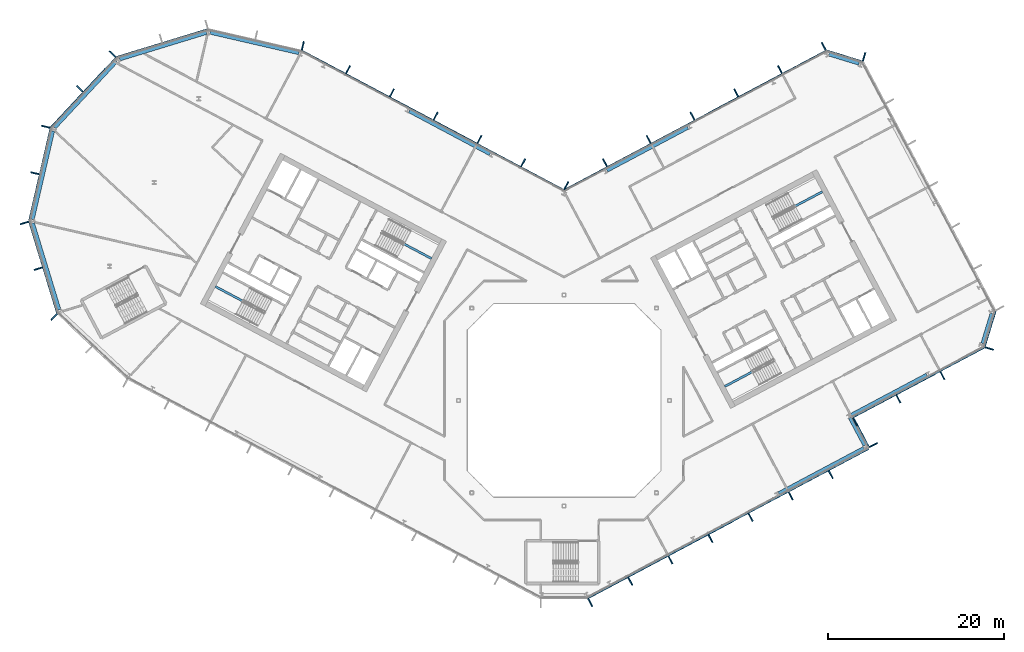
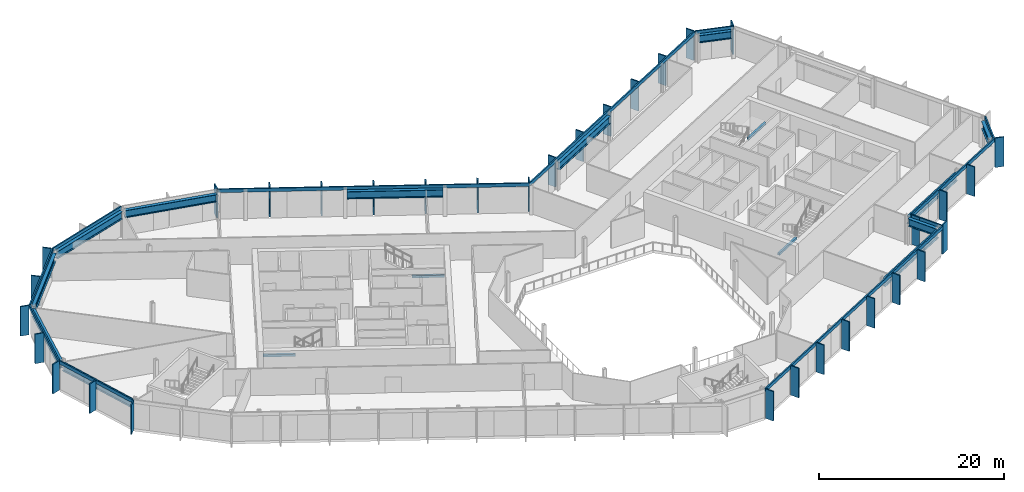
# One storey, part 9 of 26: 44 members, 16 beams, 13 elements without a shape of their own.
"""IFC4 building model written with IfcOpenShell, lengths in metres."""

from ifc_helpers import new_model, si_unit, direction, frame, origin, origin_2d, place, context, subcontext, project, spatial, rectangle, i_section, extrude, material, layer, layer_set, material_profile, profile_set, type_object, element, aggregate, save


model = new_model("IFC4")

# Units and contexts
model_context = context("Model", 3, precision=1e-05, world=origin(), true_north=direction((0.0, 1.0)))
body_context = subcontext(model_context, "Body", "Model", "MODEL_VIEW")
ifc_project = project(units=[si_unit("LENGTHUNIT", "METRE"), si_unit("AREAUNIT", "SQUARE_METRE"), si_unit("VOLUMEUNIT", "CUBIC_METRE"), si_unit("PLANEANGLEUNIT", "RADIAN"), si_unit("MASSUNIT", "GRAM", prefix="KILO")], contexts=[model_context])

# Site, building, storey
site_placement = place(None, origin())
site = spatial("IfcSite", under=ifc_project, at=site_placement, CompositionType="ELEMENT")
building_placement = place(site_placement, origin())
building = spatial("IfcBuilding", under=site, at=building_placement, Name="Cormorant Relay Tower", CompositionType="ELEMENT")
storey_placement = place(building_placement, frame((0.0, 0.0, 244.199951171875)))
storey = spatial("IfcBuildingStorey", under=building, at=storey_placement, Name="L54", CompositionType="ELEMENT", Elevation=244.199951171875)

# Curtain wall, members
ifc_material_1 = material(Name="Aluminium 6063-T6 anodised bronze", Category="aluminium")
ifc_layer = layer(ifc_material_1, 0.199951171875)
ifc_layer_set = layer_set([ifc_layer], Name="CW1 unitised bronze curtain wall with vertical fins")
curtain_wall_type = type_object("IfcCurtainWallType", Name="CW1 unitised bronze curtain wall with vertical fins", PredefinedType="NOTDEFINED", material=ifc_layer_set)
curtain_wall_1_placement = place(storey_placement, origin())
curtain_wall_1 = element("IfcCurtainWall", 1, at=curtain_wall_1_placement, inside=storey, type_object=curtain_wall_type, Name="CW1 curtain wall 2", PredefinedType="NOTDEFINED")
ifc_material_2 = material(Name="Aluminium 6063-T6 anodised bronze", Category="aluminium")
ifc_material_profile_1 = material_profile(ifc_material_2, rectangle(XDim=0.14990234375, YDim=1.0, at=origin_2d()), Name="AL 150x1000")
ifc_profile_set_1 = profile_set([ifc_material_profile_1], Name="Aluminium 6063-T6 anodised bronze")
member_type_1 = type_object("IfcMemberType", Name="CW1 bronze fin mullion 150 x 1000", PredefinedType="MULLION", material=ifc_profile_set_1)
member_1_placement = place(storey_placement, frame((2.9775390625, -22.99365234375, 0.0), z_axis=(0.0, 0.0, 1.0), x_axis=(0.882947592859, 0.469471562786, 0.0)))
member_1 = element("IfcMember", 2, at=member_1_placement, type_object=member_type_1, Name="CW1 fin 2.1", PredefinedType="MULLION", context=body_context, shape_type="SweptSolid", body=[
    extrude(rectangle(XDim=0.14990234375, YDim=1.0, at=origin_2d()), origin(), (0.0, 0.0, 1.0), 3.900146484375),
])
member_2_placement = place(storey_placement, frame((7.539306640625, -20.568115234375, 0.0), z_axis=(0.0, 0.0, 1.0), x_axis=(0.882947592859, 0.469471562786, 0.0)))
member_2 = element("IfcMember", 3, at=member_2_placement, type_object=member_type_1, Name="CW1 fin 2.2", PredefinedType="MULLION", context=body_context, shape_type="SweptSolid", body=[
    extrude(rectangle(XDim=0.14990234375, YDim=1.0, at=origin_2d()), origin(), (0.0, 0.0, 1.0), 3.900146484375),
])
member_3_placement = place(storey_placement, frame((12.10107421875, -18.142578125, 0.0), z_axis=(0.0, 0.0, 1.0), x_axis=(0.882947592859, 0.469471562786, 0.0)))
member_3 = element("IfcMember", 4, at=member_3_placement, type_object=member_type_1, Name="CW1 fin 2.3", PredefinedType="MULLION", context=body_context, shape_type="SweptSolid", body=[
    extrude(rectangle(XDim=0.14990234375, YDim=1.0, at=origin_2d()), origin(), (0.0, 0.0, 1.0), 3.900146484375),
])
member_4_placement = place(storey_placement, frame((16.662841796875, -15.717041015625, 0.0), z_axis=(0.0, 0.0, 1.0), x_axis=(0.882947592859, 0.469471562786, 0.0)))
member_4 = element("IfcMember", 5, at=member_4_placement, type_object=member_type_1, Name="CW1 fin 2.4", PredefinedType="MULLION", context=body_context, shape_type="SweptSolid", body=[
    extrude(rectangle(XDim=0.14990234375, YDim=1.0, at=origin_2d()), origin(), (0.0, 0.0, 1.0), 3.900146484375),
])
member_5_placement = place(storey_placement, frame((21.224609375, -13.29150390625, 0.0), z_axis=(0.0, 0.0, 1.0), x_axis=(0.882947592859, 0.469471562786, 0.0)))
member_5 = element("IfcMember", 6, at=member_5_placement, type_object=member_type_1, Name="CW1 fin 2.5", PredefinedType="MULLION", context=body_context, shape_type="SweptSolid", body=[
    extrude(rectangle(XDim=0.14990234375, YDim=1.0, at=origin_2d()), origin(), (0.0, 0.0, 1.0), 3.900146484375),
])
member_6_placement = place(storey_placement, frame((25.78662109375, -10.865966796875, 0.0), z_axis=(0.0, 0.0, 1.0), x_axis=(0.882947592859, 0.469471562786, 0.0)))
member_6 = element("IfcMember", 7, at=member_6_placement, type_object=member_type_1, Name="CW1 fin 2.6", PredefinedType="MULLION", context=body_context, shape_type="SweptSolid", body=[
    extrude(rectangle(XDim=0.14990234375, YDim=1.0, at=origin_2d()), origin(), (0.0, 0.0, 1.0), 3.900146484375),
])
member_7_placement = place(storey_placement, frame((30.348388671875, -8.440185546875, 0.0), z_axis=(0.0, 0.0, 1.0), x_axis=(0.882947592859, 0.469471562786, 0.0)))
member_7 = element("IfcMember", 8, at=member_7_placement, type_object=member_type_1, Name="CW1 fin 2.7", PredefinedType="MULLION", context=body_context, shape_type="SweptSolid", body=[
    extrude(rectangle(XDim=0.14990234375, YDim=1.0, at=origin_2d()), origin(), (0.0, 0.0, 1.0), 3.900146484375),
])

# Curtain wall, member
curtain_wall_2_placement = place(storey_placement, origin())
curtain_wall_2 = element("IfcCurtainWall", 9, at=curtain_wall_2_placement, inside=storey, type_object=curtain_wall_type, Name="CW1 curtain wall 3", PredefinedType="NOTDEFINED")
member_8_placement = place(storey_placement, frame((35.199462890625, -5.068115234375, 0.0), z_axis=(0.0, 0.0, 1.0), x_axis=(-0.469471562786, 0.882947592859, 0.0)))
member_8 = element("IfcMember", 10, at=member_8_placement, type_object=member_type_1, Name="CW1 fin 3.1", PredefinedType="MULLION", context=body_context, shape_type="SweptSolid", body=[
    extrude(rectangle(XDim=0.14990234375, YDim=1.0, at=origin_2d()), origin(), (0.0, 0.0, 1.0), 3.900146484375),
])

# Curtain wall, members
curtain_wall_3_placement = place(storey_placement, origin())
curtain_wall_3 = element("IfcCurtainWall", 11, at=curtain_wall_3_placement, inside=storey, type_object=curtain_wall_type, Name="CW1 curtain wall 4", PredefinedType="NOTDEFINED")
member_9_placement = place(storey_placement, frame((33.098388671875, -2.44775390625, 0.0), z_axis=(0.0, 0.0, 1.0), x_axis=(0.882947592859, 0.469471562786, 0.0)))
member_9 = element("IfcMember", 12, at=member_9_placement, type_object=member_type_1, Name="CW1 fin 4.1", PredefinedType="MULLION", context=body_context, shape_type="SweptSolid", body=[
    extrude(rectangle(XDim=0.14990234375, YDim=1.0, at=origin_2d()), origin(), (0.0, 0.0, 1.0), 3.900146484375),
])
member_10_placement = place(storey_placement, frame((38.035400390625, 0.177490234375, 0.0), z_axis=(0.0, 0.0, 1.0), x_axis=(0.882947592859, 0.469471562786, 0.0)))
member_10 = element("IfcMember", 13, at=member_10_placement, type_object=member_type_1, Name="CW1 fin 4.2", PredefinedType="MULLION", context=body_context, shape_type="SweptSolid", body=[
    extrude(rectangle(XDim=0.14990234375, YDim=1.0, at=origin_2d()), origin(), (0.0, 0.0, 1.0), 3.900146484375),
])
member_11_placement = place(storey_placement, frame((43.038818359375, 2.837646484375, 0.0), z_axis=(0.0, 0.0, 1.0), x_axis=(0.882947592859, 0.469471562786, 0.0)))
member_11 = element("IfcMember", 14, at=member_11_placement, type_object=member_type_1, Name="CW1 fin 4.3", PredefinedType="MULLION", context=body_context, shape_type="SweptSolid", body=[
    extrude(rectangle(XDim=0.14990234375, YDim=1.0, at=origin_2d()), origin(), (0.0, 0.0, 1.0), 3.900146484375),
])

# Curtain wall, member
curtain_wall_4_placement = place(storey_placement, origin())
curtain_wall_4 = element("IfcCurtainWall", 15, at=curtain_wall_4_placement, inside=storey, type_object=curtain_wall_type, Name="CW1 curtain wall 5", PredefinedType="NOTDEFINED")
member_12_placement = place(storey_placement, frame((48.383056640625, 5.91162109375, 0.0), z_axis=(0.0, 0.0, 1.0), x_axis=(0.292371704723, 0.956304755963, 0.0)))
member_12 = element("IfcMember", 16, at=member_12_placement, type_object=member_type_1, Name="CW1 fin 5.1", PredefinedType="MULLION", context=body_context, shape_type="SweptSolid", body=[
    extrude(rectangle(XDim=0.14990234375, YDim=1.0, at=origin_2d()), origin(), (0.0, 0.0, 1.0), 3.900146484375),
])

curtain_wall_5_placement = place(storey_placement, origin())
curtain_wall_5 = element("IfcCurtainWall", 17, at=curtain_wall_5_placement, inside=storey, type_object=curtain_wall_type, Name="CW1 curtain wall 7", PredefinedType="NOTDEFINED")
member_13_placement = place(storey_placement, frame((34.1357421875, 39.09716796875, 0.0), z_axis=(0.0, 0.0, 1.0), x_axis=(-0.956304755963, 0.292371704723, 0.0)))
member_13 = element("IfcMember", 18, at=member_13_placement, type_object=member_type_1, Name="CW1 fin 7.1", PredefinedType="MULLION", context=body_context, shape_type="SweptSolid", body=[
    extrude(rectangle(XDim=0.14990234375, YDim=1.0, at=origin_2d()), origin(), (0.0, 0.0, 1.0), 3.900146484375),
])

# Curtain wall, members
curtain_wall_6_placement = place(storey_placement, origin())
curtain_wall_6 = element("IfcCurtainWall", 19, at=curtain_wall_6_placement, inside=storey, type_object=curtain_wall_type, Name="CW1 curtain wall 8", PredefinedType="NOTDEFINED")
member_14_placement = place(storey_placement, frame((29.545166015625, 40.2861328125, 0.0), z_axis=(0.0, 0.0, 1.0), x_axis=(-0.882947592859, -0.469471562786, 0.0)))
member_14 = element("IfcMember", 20, at=member_14_placement, type_object=member_type_1, Name="CW1 fin 8.1", PredefinedType="MULLION", context=body_context, shape_type="SweptSolid", body=[
    extrude(rectangle(XDim=0.14990234375, YDim=1.0, at=origin_2d()), origin(), (0.0, 0.0, 1.0), 3.900146484375),
])
member_15_placement = place(storey_placement, frame((24.566162109375, 37.638916015625, 0.0), z_axis=(0.0, 0.0, 1.0), x_axis=(-0.882947592859, -0.469471562786, 0.0)))
member_15 = element("IfcMember", 21, at=member_15_placement, type_object=member_type_1, Name="CW1 fin 8.2", PredefinedType="MULLION", context=body_context, shape_type="SweptSolid", body=[
    extrude(rectangle(XDim=0.14990234375, YDim=1.0, at=origin_2d()), origin(), (0.0, 0.0, 1.0), 3.900146484375),
])
member_16_placement = place(storey_placement, frame((19.587158203125, 34.991455078125, 0.0), z_axis=(0.0, 0.0, 1.0), x_axis=(-0.882947592859, -0.469471562786, 0.0)))
member_16 = element("IfcMember", 22, at=member_16_placement, type_object=member_type_1, Name="CW1 fin 8.3", PredefinedType="MULLION", context=body_context, shape_type="SweptSolid", body=[
    extrude(rectangle(XDim=0.14990234375, YDim=1.0, at=origin_2d()), origin(), (0.0, 0.0, 1.0), 3.900146484375),
])
member_17_placement = place(storey_placement, frame((14.608154296875, 32.343994140625, 0.0), z_axis=(0.0, 0.0, 1.0), x_axis=(-0.882947592859, -0.469471562786, 0.0)))
member_17 = element("IfcMember", 23, at=member_17_placement, type_object=member_type_1, Name="CW1 fin 8.4", PredefinedType="MULLION", context=body_context, shape_type="SweptSolid", body=[
    extrude(rectangle(XDim=0.14990234375, YDim=1.0, at=origin_2d()), origin(), (0.0, 0.0, 1.0), 3.900146484375),
])
member_18_placement = place(storey_placement, frame((9.62939453125, 29.69677734375, 0.0), z_axis=(0.0, 0.0, 1.0), x_axis=(-0.882947592859, -0.469471562786, 0.0)))
member_18 = element("IfcMember", 24, at=member_18_placement, type_object=member_type_1, Name="CW1 fin 8.5", PredefinedType="MULLION", context=body_context, shape_type="SweptSolid", body=[
    extrude(rectangle(XDim=0.14990234375, YDim=1.0, at=origin_2d()), origin(), (0.0, 0.0, 1.0), 3.900146484375),
])
member_19_placement = place(storey_placement, frame((4.650390625, 27.04931640625, 0.0), z_axis=(0.0, 0.0, 1.0), x_axis=(-0.882947592859, -0.469471562786, 0.0)))
member_19 = element("IfcMember", 25, at=member_19_placement, type_object=member_type_1, Name="CW1 fin 8.6", PredefinedType="MULLION", context=body_context, shape_type="SweptSolid", body=[
    extrude(rectangle(XDim=0.14990234375, YDim=1.0, at=origin_2d()), origin(), (0.0, 0.0, 1.0), 3.900146484375),
])

curtain_wall_7_placement = place(storey_placement, origin())
curtain_wall_7 = element("IfcCurtainWall", 26, at=curtain_wall_7_placement, inside=storey, type_object=curtain_wall_type, Name="CW1 curtain wall 9", PredefinedType="NOTDEFINED")
member_20_placement = place(storey_placement, frame((0.262451171875, 24.437255859375, 0.0), z_axis=(0.0, 0.0, 1.0), x_axis=(-0.882947592859, 0.469471562786, 0.0)))
member_20 = element("IfcMember", 27, at=member_20_placement, type_object=member_type_1, Name="CW1 fin 9.1", PredefinedType="MULLION", context=body_context, shape_type="SweptSolid", body=[
    extrude(rectangle(XDim=0.14990234375, YDim=1.0, at=origin_2d()), origin(), (0.0, 0.0, 1.0), 3.900146484375),
])
member_21_placement = place(storey_placement, frame((-4.650390625, 27.04931640625, 0.0), z_axis=(0.0, 0.0, 1.0), x_axis=(-0.882947592859, 0.469471562786, 0.0)))
member_21 = element("IfcMember", 28, at=member_21_placement, type_object=member_type_1, Name="CW1 fin 9.2", PredefinedType="MULLION", context=body_context, shape_type="SweptSolid", body=[
    extrude(rectangle(XDim=0.14990234375, YDim=1.0, at=origin_2d()), origin(), (0.0, 0.0, 1.0), 3.900146484375),
])
member_22_placement = place(storey_placement, frame((-9.62939453125, 29.69677734375, 0.0), z_axis=(0.0, 0.0, 1.0), x_axis=(-0.882947592859, 0.469471562786, 0.0)))
member_22 = element("IfcMember", 29, at=member_22_placement, type_object=member_type_1, Name="CW1 fin 9.3", PredefinedType="MULLION", context=body_context, shape_type="SweptSolid", body=[
    extrude(rectangle(XDim=0.14990234375, YDim=1.0, at=origin_2d()), origin(), (0.0, 0.0, 1.0), 3.900146484375),
])
member_23_placement = place(storey_placement, frame((-14.608154296875, 32.343994140625, 0.0), z_axis=(0.0, 0.0, 1.0), x_axis=(-0.882947592859, 0.469471562786, 0.0)))
member_23 = element("IfcMember", 30, at=member_23_placement, type_object=member_type_1, Name="CW1 fin 9.4", PredefinedType="MULLION", context=body_context, shape_type="SweptSolid", body=[
    extrude(rectangle(XDim=0.14990234375, YDim=1.0, at=origin_2d()), origin(), (0.0, 0.0, 1.0), 3.900146484375),
])
member_24_placement = place(storey_placement, frame((-19.587158203125, 34.991455078125, 0.0), z_axis=(0.0, 0.0, 1.0), x_axis=(-0.882947592859, 0.469471562786, 0.0)))
member_24 = element("IfcMember", 31, at=member_24_placement, type_object=member_type_1, Name="CW1 fin 9.5", PredefinedType="MULLION", context=body_context, shape_type="SweptSolid", body=[
    extrude(rectangle(XDim=0.14990234375, YDim=1.0, at=origin_2d()), origin(), (0.0, 0.0, 1.0), 3.900146484375),
])
member_25_placement = place(storey_placement, frame((-24.566162109375, 37.638916015625, 0.0), z_axis=(0.0, 0.0, 1.0), x_axis=(-0.882947592859, 0.469471562786, 0.0)))
member_25 = element("IfcMember", 32, at=member_25_placement, type_object=member_type_1, Name="CW1 fin 9.6", PredefinedType="MULLION", context=body_context, shape_type="SweptSolid", body=[
    extrude(rectangle(XDim=0.14990234375, YDim=1.0, at=origin_2d()), origin(), (0.0, 0.0, 1.0), 3.900146484375),
])

# Curtain wall, member
curtain_wall_8_placement = place(storey_placement, origin())
curtain_wall_8 = element("IfcCurtainWall", 33, at=curtain_wall_8_placement, inside=storey, type_object=curtain_wall_type, Name="CW1 curtain wall 10", PredefinedType="NOTDEFINED")
member_26_placement = place(storey_placement, frame((-29.71630859375, 40.35009765625, 0.0), z_axis=(0.0, 0.0, 1.0), x_axis=(-0.974370064785, 0.224951054344, 0.0)))
member_26 = element("IfcMember", 34, at=member_26_placement, type_object=member_type_1, Name="CW1 fin 10.1", PredefinedType="MULLION", context=body_context, shape_type="SweptSolid", body=[
    extrude(rectangle(XDim=0.14990234375, YDim=1.0, at=origin_2d()), origin(), (0.0, 0.0, 1.0), 3.900146484375),
])
aggregate(curtain_wall_8, [member_26])

# Curtain wall, members
curtain_wall_9_placement = place(storey_placement, origin())
curtain_wall_9 = element("IfcCurtainWall", 35, at=curtain_wall_9_placement, inside=storey, type_object=curtain_wall_type, Name="CW1 curtain wall 12", PredefinedType="NOTDEFINED")
member_27_placement = place(storey_placement, frame((-51.372802734375, 39.41259765625, 0.0), z_axis=(0.0, 0.0, 1.0), x_axis=(-0.681998360062, -0.731353701619, 0.0)))
member_27 = element("IfcMember", 36, at=member_27_placement, type_object=member_type_1, Name="CW1 fin 12.1", PredefinedType="MULLION", context=body_context, shape_type="SweptSolid", body=[
    extrude(rectangle(XDim=0.14990234375, YDim=1.0, at=origin_2d()), origin(), (0.0, 0.0, 1.0), 3.900146484375),
])
member_28_placement = place(storey_placement, frame((-55.07958984375, 35.4375, 0.0), z_axis=(0.0, 0.0, 1.0), x_axis=(-0.681998360062, -0.731353701619, 0.0)))
member_28 = element("IfcMember", 37, at=member_28_placement, type_object=member_type_1, Name="CW1 fin 12.2", PredefinedType="MULLION", context=body_context, shape_type="SweptSolid", body=[
    extrude(rectangle(XDim=0.14990234375, YDim=1.0, at=origin_2d()), origin(), (0.0, 0.0, 1.0), 3.900146484375),
])

curtain_wall_10_placement = place(storey_placement, origin())
curtain_wall_10 = element("IfcCurtainWall", 38, at=curtain_wall_10_placement, inside=storey, type_object=curtain_wall_type, Name="CW1 curtain wall 13", PredefinedType="NOTDEFINED")
member_29_placement = place(storey_placement, frame((-58.95654296875, 31.142578125, 0.0), z_axis=(0.0, 0.0, 1.0), x_axis=(-0.224951054344, -0.974370064785, 0.0)))
member_29 = element("IfcMember", 39, at=member_29_placement, type_object=member_type_1, Name="CW1 fin 13.1", PredefinedType="MULLION", context=body_context, shape_type="SweptSolid", body=[
    extrude(rectangle(XDim=0.14990234375, YDim=1.0, at=origin_2d()), origin(), (0.0, 0.0, 1.0), 3.900146484375),
])
member_30_placement = place(storey_placement, frame((-60.17919921875, 25.8466796875, 0.0), z_axis=(0.0, 0.0, 1.0), x_axis=(-0.224951054344, -0.974370064785, 0.0)))
member_30 = element("IfcMember", 40, at=member_30_placement, type_object=member_type_1, Name="CW1 fin 13.2", PredefinedType="MULLION", context=body_context, shape_type="SweptSolid", body=[
    extrude(rectangle(XDim=0.14990234375, YDim=1.0, at=origin_2d()), origin(), (0.0, 0.0, 1.0), 3.900146484375),
])

curtain_wall_11_placement = place(storey_placement, origin())
curtain_wall_11 = element("IfcCurtainWall", 41, at=curtain_wall_11_placement, inside=storey, type_object=curtain_wall_type, Name="CW1 curtain wall 14", PredefinedType="NOTDEFINED")
member_31_placement = place(storey_placement, frame((-61.389404296875, 20.188720703125, 0.0), z_axis=(0.0, 0.0, 1.0), x_axis=(0.292371704723, -0.956304755963, 0.0)))
member_31 = element("IfcMember", 42, at=member_31_placement, type_object=member_type_1, Name="CW1 fin 14.1", PredefinedType="MULLION", context=body_context, shape_type="SweptSolid", body=[
    extrude(rectangle(XDim=0.14990234375, YDim=1.0, at=origin_2d()), origin(), (0.0, 0.0, 1.0), 3.900146484375),
])
member_32_placement = place(storey_placement, frame((-59.80029296875, 14.990966796875, 0.0), z_axis=(0.0, 0.0, 1.0), x_axis=(0.292371704723, -0.956304755963, 0.0)))
member_32 = element("IfcMember", 43, at=member_32_placement, type_object=member_type_1, Name="CW1 fin 14.2", PredefinedType="MULLION", context=body_context, shape_type="SweptSolid", body=[
    extrude(rectangle(XDim=0.14990234375, YDim=1.0, at=origin_2d()), origin(), (0.0, 0.0, 1.0), 3.900146484375),
])

# Curtain wall, member
curtain_wall_12_placement = place(storey_placement, origin())
curtain_wall_12 = element("IfcCurtainWall", 44, at=curtain_wall_12_placement, inside=storey, type_object=curtain_wall_type, Name="CW1 curtain wall 15", PredefinedType="NOTDEFINED")
member_33_placement = place(storey_placement, frame((-58.01904296875, 9.486083984375, 0.0), z_axis=(0.0, 0.0, 1.0), x_axis=(0.731353701619, -0.681998360062, 0.0)))
member_33 = element("IfcMember", 45, at=member_33_placement, type_object=member_type_1, Name="CW1 fin 15.1", PredefinedType="MULLION", context=body_context, shape_type="SweptSolid", body=[
    extrude(rectangle(XDim=0.14990234375, YDim=1.0, at=origin_2d()), origin(), (0.0, 0.0, 1.0), 3.900146484375),
])
aggregate(curtain_wall_12, [member_33])

# Member
ifc_material_3 = material(Name="Aluminium 6063-T6 anodised bronze", Category="aluminium")
ifc_material_profile_2 = material_profile(ifc_material_3, rectangle(XDim=0.159912109375, YDim=0.449951171875, at=origin_2d()), Name="AL 160x450")
ifc_profile_set_2 = profile_set([ifc_material_profile_2], Name="Aluminium 6063-T6 anodised bronze")
member_type_2 = type_object("IfcMemberType", Name="CW1 bronze transom 160 x 450", PredefinedType="USERDEFINED", material=ifc_profile_set_2)
member_34_placement = place(storey_placement, frame((2.705078125, -22.4814453125, 3.675048828125), z_axis=(0.882948899141, 0.469469106018, 0.0), x_axis=(-0.469469106018, 0.882948899141, 0.0)))
member_34 = element("IfcMember", 46, at=member_34_placement, type_object=member_type_2, Name="CW1 transom 2", ObjectType="TRANSOM", PredefinedType="USERDEFINED", context=body_context, shape_type="SweptSolid", body=[
    extrude(rectangle(XDim=0.159912109375, YDim=0.449951171875, at=origin_2d()), origin(), (0.0, 0.0, 1.0), 36.165771484375),
])

aggregate(curtain_wall_1, [member_1, member_2, member_3, member_4, member_5, member_6, member_7, member_34])

member_35_placement = place(storey_placement, frame((34.6875, -5.34033203125, 3.675048828125), z_axis=(-0.469485426614, 0.882940221191, 0.0), x_axis=(-0.882940221191, -0.469485426614, 0.0)))
member_35 = element("IfcMember", 47, at=member_35_placement, type_object=member_type_2, Name="CW1 transom 3", ObjectType="TRANSOM", PredefinedType="USERDEFINED", context=body_context, shape_type="SweptSolid", body=[
    extrude(rectangle(XDim=0.159912109375, YDim=0.449951171875, at=origin_2d()), origin(), (0.0, 0.0, 1.0), 4.0),
])

aggregate(curtain_wall_2, [member_8, member_35])

member_36_placement = place(storey_placement, frame((32.760009765625, -1.970947265625, 3.675048828125), z_axis=(0.882941803911, 0.469482450052, 0.0), x_axis=(-0.469482450052, 0.882941803911, 0.0)))
member_36 = element("IfcMember", 48, at=member_36_placement, type_object=member_type_2, Name="CW1 transom 4", ObjectType="TRANSOM", PredefinedType="USERDEFINED", context=body_context, shape_type="SweptSolid", body=[
    extrude(rectangle(XDim=0.159912109375, YDim=0.449951171875, at=origin_2d()), origin(), (0.0, 0.0, 1.0), 17.0),
])

aggregate(curtain_wall_3, [member_9, member_10, member_11, member_36])

member_37_placement = place(storey_placement, frame((47.828369140625, 6.0810546875, 3.675048828125), z_axis=(0.292391046905, 0.95629884225, 0.0), x_axis=(-0.95629884225, 0.292391046905, 0.0)))
member_37 = element("IfcMember", 49, at=member_37_placement, type_object=member_type_2, Name="CW1 transom 5", ObjectType="TRANSOM", PredefinedType="USERDEFINED", context=body_context, shape_type="SweptSolid", body=[
    extrude(rectangle(XDim=0.159912109375, YDim=0.449951171875, at=origin_2d()), origin(), (0.0, 0.0, 1.0), 4.242431640625),
])

aggregate(curtain_wall_4, [member_12, member_37])

member_38_placement = place(storey_placement, frame((33.966064453125, 38.54248046875, 3.675048828125), z_axis=(-0.956303761594, 0.292374957137, 0.0), x_axis=(-0.292374957137, -0.956303761594, 0.0)))
member_38 = element("IfcMember", 50, at=member_38_placement, type_object=member_type_2, Name="CW1 transom 7", ObjectType="TRANSOM", PredefinedType="USERDEFINED", context=body_context, shape_type="SweptSolid", body=[
    extrude(rectangle(XDim=0.159912109375, YDim=0.449951171875, at=origin_2d()), origin(), (0.0, 0.0, 1.0), 4.24267578125),
])

aggregate(curtain_wall_5, [member_13, member_38])

member_39_placement = place(storey_placement, frame((29.8173828125, 39.774169921875, 3.675048828125), z_axis=(-0.882946280328, -0.46947403129, 0.0), x_axis=(0.46947403129, -0.882946280328, 0.0)))
member_39 = element("IfcMember", 51, at=member_39_placement, type_object=member_type_2, Name="CW1 transom 8", ObjectType="TRANSOM", PredefinedType="USERDEFINED", context=body_context, shape_type="SweptSolid", body=[
    extrude(rectangle(XDim=0.159912109375, YDim=0.449951171875, at=origin_2d()), origin(), (0.0, 0.0, 1.0), 33.834228515625),
])

aggregate(curtain_wall_6, [member_14, member_15, member_16, member_17, member_18, member_19, member_39])

member_40_placement = place(storey_placement, frame((0.056396484375, 23.889892578125, 3.675048828125), z_axis=(-0.882946280328, 0.46947403129, 0.0), x_axis=(-0.46947403129, -0.882946280328, 0.0)))
member_40 = element("IfcMember", 52, at=member_40_placement, type_object=member_type_2, Name="CW1 transom 9", ObjectType="TRANSOM", PredefinedType="USERDEFINED", context=body_context, shape_type="SweptSolid", body=[
    extrude(rectangle(XDim=0.159912109375, YDim=0.449951171875, at=origin_2d()), origin(), (0.0, 0.0, 1.0), 33.834228515625),
])

aggregate(curtain_wall_7, [member_20, member_21, member_22, member_23, member_24, member_25, member_40])

# Curtain wall, member
curtain_wall_13_placement = place(storey_placement, origin())
curtain_wall_13 = element("IfcCurtainWall", 53, at=curtain_wall_13_placement, inside=storey, type_object=curtain_wall_type, Name="CW1 curtain wall 11", PredefinedType="NOTDEFINED")
member_41_placement = place(storey_placement, frame((-40.50048828125, 42.228271484375, 3.675048828125), z_axis=(-0.956304833932, -0.292371449698, 0.0), x_axis=(0.292371449698, -0.956304833932, 0.0)))
member_41 = element("IfcMember", 54, at=member_41_placement, type_object=member_type_2, Name="CW1 transom 11", ObjectType="TRANSOM", PredefinedType="USERDEFINED", context=body_context, shape_type="SweptSolid", body=[
    extrude(rectangle(XDim=0.159912109375, YDim=0.449951171875, at=origin_2d()), origin(), (0.0, 0.0, 1.0), 10.87060546875),
])
aggregate(curtain_wall_13, [member_41])

# Member
member_42_placement = place(storey_placement, frame((-50.94873046875, 39.01708984375, 3.675048828125), z_axis=(-0.681993299437, -0.731358420696, 0.0), x_axis=(0.731358420696, -0.681993299437, 0.0)))
member_42 = element("IfcMember", 55, at=member_42_placement, type_object=member_type_2, Name="CW1 transom 12", ObjectType="TRANSOM", PredefinedType="USERDEFINED", context=body_context, shape_type="SweptSolid", body=[
    extrude(rectangle(XDim=0.159912109375, YDim=0.449951171875, at=origin_2d()), origin(), (0.0, 0.0, 1.0), 10.870361328125),
])

aggregate(curtain_wall_9, [member_27, member_28, member_42])

member_43_placement = place(storey_placement, frame((-58.3916015625, 31.01220703125, 3.675048828125), z_axis=(-0.22495136131, -0.974369993916, 0.0), x_axis=(0.974369993916, -0.22495136131, 0.0)))
member_43 = element("IfcMember", 56, at=member_43_placement, type_object=member_type_2, Name="CW1 transom 13", ObjectType="TRANSOM", PredefinedType="USERDEFINED", context=body_context, shape_type="SweptSolid", body=[
    extrude(rectangle(XDim=0.159912109375, YDim=0.449951171875, at=origin_2d()), origin(), (0.0, 0.0, 1.0), 10.870361328125),
])

aggregate(curtain_wall_10, [member_29, member_30, member_43])

member_44_placement = place(storey_placement, frame((-60.834716796875, 20.358154296875, 3.675048828125), z_axis=(0.292377729282, -0.95630291405, 0.0), x_axis=(0.95630291405, 0.292377729282, 0.0)))
member_44 = element("IfcMember", 57, at=member_44_placement, type_object=member_type_2, Name="CW1 transom 14", ObjectType="TRANSOM", PredefinedType="USERDEFINED", context=body_context, shape_type="SweptSolid", body=[
    extrude(rectangle(XDim=0.159912109375, YDim=0.449951171875, at=origin_2d()), origin(), (0.0, 0.0, 1.0), 10.870361328125),
])

aggregate(curtain_wall_11, [member_31, member_32, member_44])

# Beams
ifc_material_4 = material(Name="Steel ASTM A992 (Fy 345 MPa)", Category="steel")
ifc_material_profile_3 = material_profile(ifc_material_4, i_section(OverallWidth=0.4013671875, OverallDepth=0.990478515625, WebThickness=0.0166015625, FlangeThickness=0.031005859375, FilletRadius=0.030029296875, at=origin_2d()), Name="W1000x320")
ifc_profile_set_3 = profile_set([ifc_material_profile_3], Name="Steel ASTM A992 (Fy 345 MPa)")
beam_type_1 = type_object("IfcBeamType", Name="Spandrel W1000x320", PredefinedType="SPANDREL", material=ifc_profile_set_3)
beam_1_placement = place(storey_placement, frame((24.423583984375, -10.5703125, 3.044677734375), z_axis=(0.882952735253, 0.469461891221, 0.0), x_axis=(-0.469461891221, 0.882952735253, 0.0)))
element("IfcBeam", 58, at=beam_1_placement, inside=storey, type_object=beam_type_1, Name="Spandrel beam L54-002", PredefinedType="SPANDREL", context=body_context, shape_type="SweptSolid", body=[
    extrude(i_section(OverallWidth=0.4013671875, OverallDepth=0.990478515625, WebThickness=0.0166015625, FlangeThickness=0.031005859375, FilletRadius=0.030029296875, at=origin_2d()), origin(), (0.0, 0.0, 1.0), 10.96142578125),
])
beam_2_placement = place(storey_placement, frame((34.20458984375, -5.115478515625, 3.044677734375), z_axis=(-0.469423552529, 0.882973118691, 0.0), x_axis=(-0.882973118691, -0.469423552529, 0.0)))
element("IfcBeam", 59, at=beam_2_placement, inside=storey, type_object=beam_type_1, Name="Spandrel beam L54-003", PredefinedType="SPANDREL", context=body_context, shape_type="SweptSolid", body=[
    extrude(i_section(OverallWidth=0.4013671875, OverallDepth=0.990478515625, WebThickness=0.0166015625, FlangeThickness=0.031005859375, FilletRadius=0.030029296875, at=origin_2d()), origin(), (0.0, 0.0, 1.0), 3.56982421875),
])
beam_3_placement = place(storey_placement, frame((32.609375, -1.687744140625, 3.044677734375), z_axis=(0.882948215634, 0.469470391515, 0.0), x_axis=(-0.469470391515, 0.882948215634, 0.0)))
element("IfcBeam", 60, at=beam_3_placement, inside=storey, type_object=beam_type_1, Name="Spandrel beam L54-004", PredefinedType="SPANDREL", context=body_context, shape_type="SweptSolid", body=[
    extrude(i_section(OverallWidth=0.4013671875, OverallDepth=0.990478515625, WebThickness=0.0166015625, FlangeThickness=0.031005859375, FilletRadius=0.030029296875, at=origin_2d()), origin(), (0.0, 0.0, 1.0), 9.79736328125),
])
for number, where, z_axis, x_axis, name in (
    (61, (47.618896484375, 6.4921875, 3.044677734375), (0.292349563537, 0.956311524923, 0.0), (-0.956311524923, 0.292349563537, 0.0), "Spandrel beam L54-005"),
    (62, (33.5546875, 38.3330078125, 3.044677734375), (-0.956311524923, 0.292349563537, 0.0), (-0.292349563537, -0.956311524923, 0.0), "Spandrel beam L54-007"),
):
    element("IfcBeam", number, at=place(storey_placement, frame(where, z_axis=z_axis, x_axis=x_axis)), inside=storey, type_object=beam_type_1, Name=name, PredefinedType="SPANDREL", context=body_context, shape_type="SweptSolid", body=[
        extrude(i_section(OverallWidth=0.4013671875, OverallDepth=0.990478515625, WebThickness=0.0166015625, FlangeThickness=0.031005859375, FilletRadius=0.030029296875, at=origin_2d()), origin(), (0.0, 0.0, 1.0), 3.59765625),
    ])
for number, where, z_axis, x_axis, name in (
    (63, (14.0732421875, 31.03955078125, 3.044677734375), (-0.882949648898, -0.469467695918, 0.0), (0.469467695918, -0.882949648898, 0.0), "Spandrel beam L54-008"),
    (64, (-8.426025390625, 28.036865234375, 3.044677734375), (-0.882949648898, 0.469467695918, 0.0), (-0.469467695918, -0.882949648898, 0.0), "Spandrel beam L54-009"),
):
    element("IfcBeam", number, at=place(storey_placement, frame(where, z_axis=z_axis, x_axis=x_axis)), inside=storey, type_object=beam_type_1, Name=name, PredefinedType="SPANDREL", context=body_context, shape_type="SweptSolid", body=[
        extrude(i_section(OverallWidth=0.4013671875, OverallDepth=0.990478515625, WebThickness=0.0166015625, FlangeThickness=0.031005859375, FilletRadius=0.030029296875, at=origin_2d()), origin(), (0.0, 0.0, 1.0), 10.39599609375),
    ])
beam_4_placement = place(storey_placement, frame((-30.1533203125, 39.526611328125, 3.044677734375), z_axis=(-0.97436619016, 0.22496783653, 0.0), x_axis=(-0.22496783653, -0.97436619016, 0.0)))
element("IfcBeam", 65, at=beam_4_placement, inside=storey, type_object=beam_type_1, Name="Spandrel beam L54-010", PredefinedType="SPANDREL", context=body_context, shape_type="SweptSolid", body=[
    extrude(i_section(OverallWidth=0.4013671875, OverallDepth=0.990478515625, WebThickness=0.0166015625, FlangeThickness=0.031005859375, FilletRadius=0.030029296875, at=origin_2d()), origin(), (0.0, 0.0, 1.0), 10.369384765625),
])
beam_5_placement = place(storey_placement, frame((-40.680419921875, 41.837890625, 3.044677734375), z_axis=(-0.956303094801, -0.292377138084, 0.0), x_axis=(0.292377138084, -0.956303094801, 0.0)))
element("IfcBeam", 66, at=beam_5_placement, inside=storey, type_object=beam_type_1, Name="Spandrel beam L54-011", PredefinedType="SPANDREL", context=body_context, shape_type="SweptSolid", body=[
    extrude(i_section(OverallWidth=0.4013671875, OverallDepth=0.990478515625, WebThickness=0.0166015625, FlangeThickness=0.031005859375, FilletRadius=0.030029296875, at=origin_2d()), origin(), (0.0, 0.0, 1.0), 10.32421875),
])
beam_6_placement = place(storey_placement, frame((-50.90966796875, 38.5888671875, 3.044677734375), z_axis=(-0.681996285296, -0.731355636365, 0.0), x_axis=(0.731355636365, -0.681996285296, 0.0)))
element("IfcBeam", 67, at=beam_6_placement, inside=storey, type_object=beam_type_1, Name="Spandrel beam L54-012", PredefinedType="SPANDREL", context=body_context, shape_type="SweptSolid", body=[
    extrude(i_section(OverallWidth=0.4013671875, OverallDepth=0.990478515625, WebThickness=0.0166015625, FlangeThickness=0.031005859375, FilletRadius=0.030029296875, at=origin_2d()), origin(), (0.0, 0.0, 1.0), 10.32275390625),
])
beam_7_placement = place(storey_placement, frame((-58.143310546875, 30.66162109375, 3.044677734375), z_axis=(-0.224957947919, -0.974368473252, 0.0), x_axis=(0.974368473252, -0.224957947919, 0.0)))
element("IfcBeam", 68, at=beam_7_placement, inside=storey, type_object=beam_type_1, Name="Spandrel beam L54-013", PredefinedType="SPANDREL", context=body_context, shape_type="SweptSolid", body=[
    extrude(i_section(OverallWidth=0.4013671875, OverallDepth=0.990478515625, WebThickness=0.0166015625, FlangeThickness=0.031005859375, FilletRadius=0.030029296875, at=origin_2d()), origin(), (0.0, 0.0, 1.0), 10.32421875),
])
beam_8_placement = place(storey_placement, frame((-60.4443359375, 20.178466796875, 3.044677734375), z_axis=(0.29236873538, -0.956305663777, 0.0), x_axis=(0.956305663777, 0.29236873538, 0.0)))
element("IfcBeam", 69, at=beam_8_placement, inside=storey, type_object=beam_type_1, Name="Spandrel beam L54-014", PredefinedType="SPANDREL", context=body_context, shape_type="SweptSolid", body=[
    extrude(i_section(OverallWidth=0.4013671875, OverallDepth=0.990478515625, WebThickness=0.0166015625, FlangeThickness=0.031005859375, FilletRadius=0.030029296875, at=origin_2d()), origin(), (0.0, 0.0, 1.0), 10.32373046875),
])
ifc_material_5 = material(Name="Concrete 50 MPa", Category="concrete")
ifc_material_profile_4 = material_profile(ifc_material_5, rectangle(XDim=0.25, YDim=0.300048828125, at=origin_2d()), Name="RC 250x300")
ifc_profile_set_4 = profile_set([ifc_material_profile_4], Name="Concrete 50 MPa")
beam_type_2 = type_object("IfcBeamType", Name="Stair landing ledge beam 250x300", PredefinedType="BEAM", material=ifc_profile_set_4)
beam_9_placement = place(storey_placement, frame((-18.219482421875, 17.813720703125, 1.60009765625), z_axis=(0.882950035608, -0.469466968614, 0.0), x_axis=(0.469466968614, 0.882950035608, 0.0)))
element("IfcBeam", 70, at=beam_9_placement, inside=storey, type_object=beam_type_2, Name="A1 landing ledge beam", PredefinedType="BEAM", context=body_context, shape_type="SweptSolid", body=[
    extrude(rectangle(XDim=0.25, YDim=0.300048828125, at=origin_2d()), origin(), (0.0, 0.0, 1.0), 3.5498046875),
])
for number, where, z_axis, x_axis, name in (
    (71, (-36.523193359375, 11.29345703125, 1.60009765625), (-0.88293668587, 0.469492075273, 0.0), (-0.469492075273, -0.88293668587, 0.0), "A2 landing ledge beam"),
    (72, (21.4248046875, 3.265380859375, 1.60009765625), (-0.88296519247, -0.469438461235, 0.0), (0.469438461235, -0.88296519247, 0.0), "B1 landing ledge beam"),
    (73, (26.25439453125, 22.0859375, 1.60009765625), (0.88296519247, 0.469438461235, 0.0), (-0.469438461235, 0.88296519247, 0.0), "B2 landing ledge beam"),
):
    element("IfcBeam", number, at=place(storey_placement, frame(where, z_axis=z_axis, x_axis=x_axis)), inside=storey, type_object=beam_type_2, Name=name, PredefinedType="BEAM", context=body_context, shape_type="SweptSolid", body=[
        extrude(rectangle(XDim=0.25, YDim=0.300048828125, at=origin_2d()), origin(), (0.0, 0.0, 1.0), 3.550048828125),
    ])

save(model, "model.ifc")
